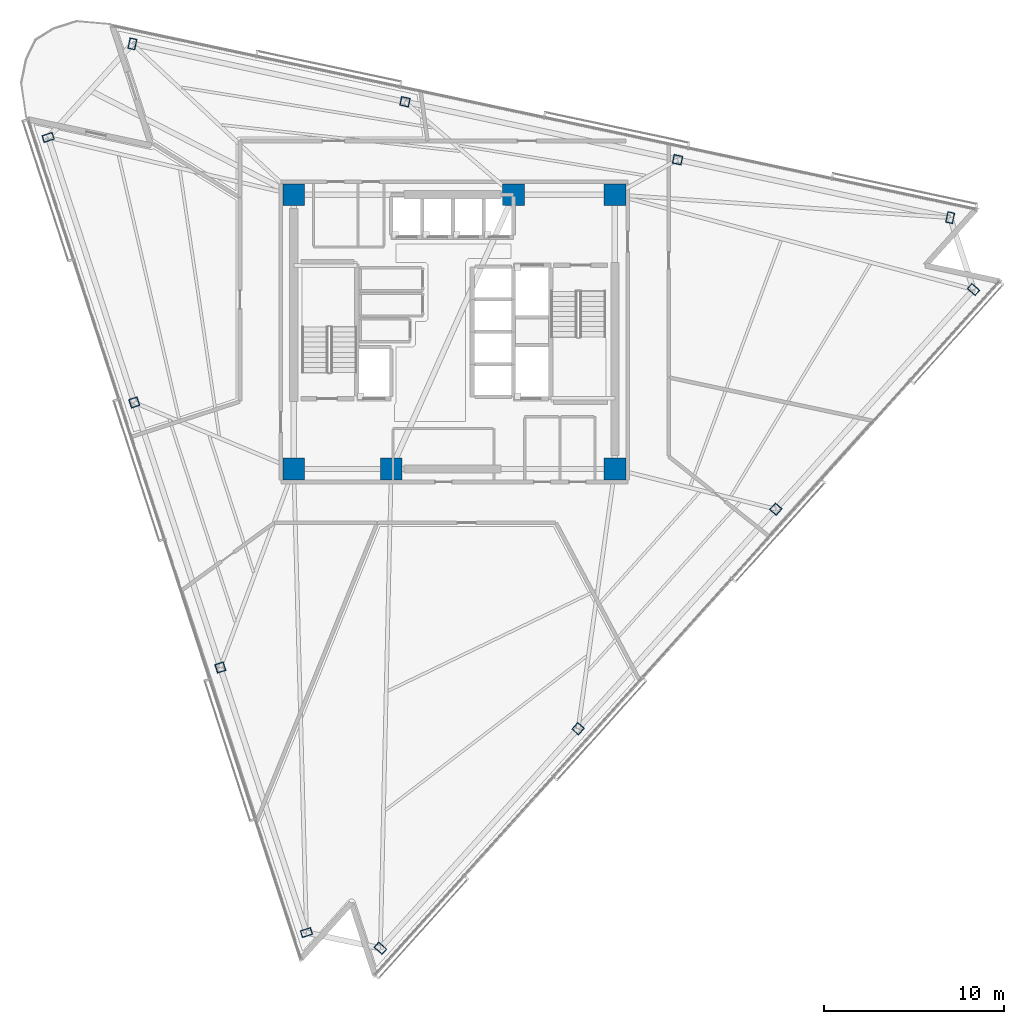
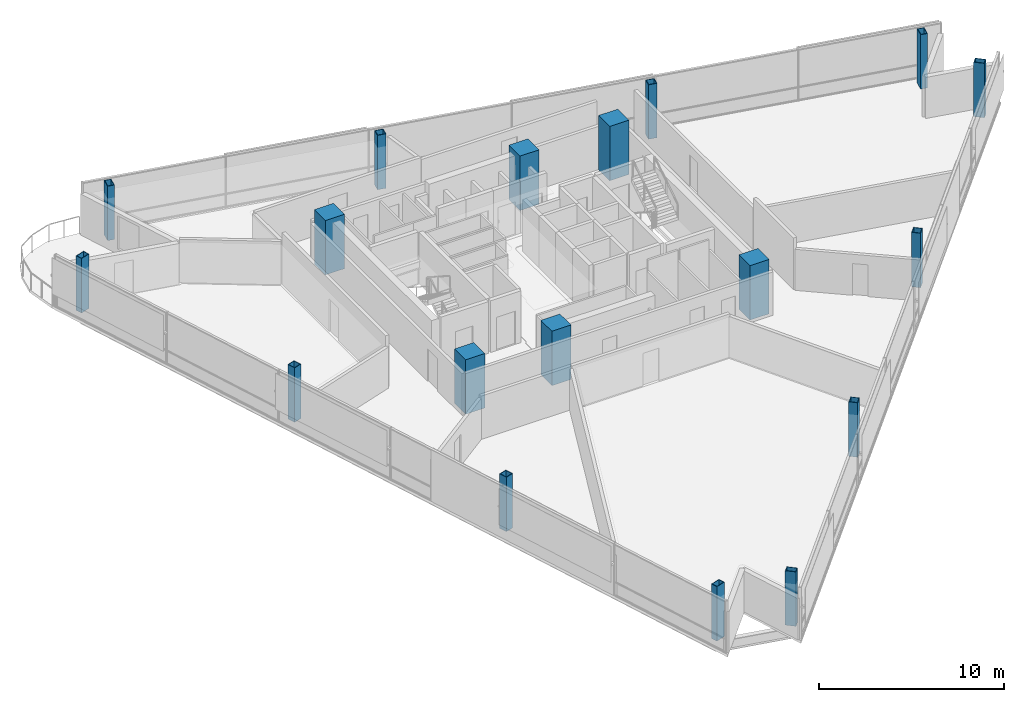
# One storey, part 1 of 17: 18 columns.
"""IFC4 building model written with IfcOpenShell, lengths in metres."""

from ifc_helpers import new_model, si_unit, direction, frame, origin, origin_2d, place, context, subcontext, project, spatial, rectangle, hollow_rectangle, extrude, material, material_profile, profile_set, type_object, element, save


model = new_model("IFC4")

# Units and contexts
model_context = context("Model", 3, precision=1e-05, world=origin(), true_north=direction((0.0, 1.0)))
body_context = subcontext(model_context, "Body", "Model", "MODEL_VIEW")
ifc_project = project(units=[si_unit("LENGTHUNIT", "METRE"), si_unit("AREAUNIT", "SQUARE_METRE"), si_unit("VOLUMEUNIT", "CUBIC_METRE"), si_unit("PLANEANGLEUNIT", "RADIAN"), si_unit("MASSUNIT", "GRAM", prefix="KILO")], contexts=[model_context])

# Site, building, storey
site_placement = place(None, origin())
site = spatial("IfcSite", under=ifc_project, at=site_placement, CompositionType="ELEMENT")
building_placement = place(site_placement, origin())
building = spatial("IfcBuilding", under=site, at=building_placement, Name="Tharavind Bronze Gate", CompositionType="ELEMENT")
storey_placement = place(building_placement, frame((0.0, 0.0, 207.64990234375)))
storey = spatial("IfcBuildingStorey", under=building, at=storey_placement, Name="L53", CompositionType="ELEMENT", Elevation=207.64990234375)

# Columns
ifc_material_1 = material(Name="Steel S460", Category="steel")
ifc_material_profile_1 = material_profile(ifc_material_1, hollow_rectangle(XDim=0.39990234375, YDim=0.60009765625, WallThickness=0.030029296875, at=origin_2d()), Name="RHS600X400X30")
ifc_profile_set_1 = profile_set([ifc_material_profile_1], Name="Steel S460")
column_type_1 = type_object("IfcColumnType", Name="CORNER NOTCH COLUMN RHS600X400", PredefinedType="COLUMN", material=ifc_profile_set_1)
for number, where, z_axis, x_axis, name in (
    (1, (-22.515380859375, 10.77685546875, 0.0), (0.0, 0.0, 1.0), (-0.309016994375, 0.951056516295, 0.0), "L53 perimeter column S1C1"),
    (2, (-8.197021484375, -33.29150390625, 0.0), (0.0, 0.0, 1.0), (-0.309016994375, 0.951056516295, 0.0), "L53 perimeter column S1C4"),
    (3, (-4.100341796875, -34.162353515625, 0.0), (0.0, 0.0, 1.0), (0.669130606359, 0.743144825477, 0.0), "L53 perimeter column S2C1"),
    (4, (28.772705078125, 2.34716796875, 0.0), (0.0, 0.0, 1.0), (0.669130606359, 0.743144825477, 0.0), "L53 perimeter column S2C4"),
    (5, (27.478515625, 6.330078125, 0.0), (0.0, 0.0, 1.0), (-0.978147600734, 0.207911690818, 0.0), "L53 perimeter column S3C1"),
    (6, (-17.844970703125, 15.9638671875, 0.0), (0.0, 0.0, 1.0), (-0.978147600734, 0.207911690818, 0.0), "L53 perimeter column S3C4"),
):
    element("IfcColumn", number, at=place(storey_placement, frame(where, z_axis=z_axis, x_axis=x_axis)), inside=storey, type_object=column_type_1, Name=name, PredefinedType="COLUMN", context=body_context, shape_type="SweptSolid", body=[
        extrude(hollow_rectangle(XDim=0.39990234375, YDim=0.60009765625, WallThickness=0.030029296875, at=origin_2d()), origin(), (0.0, 0.0, 1.0), 3.60009765625),
    ])
ifc_material_2 = material(Name="Concrete C60/75", Category="concrete")
ifc_material_profile_2 = material_profile(ifc_material_2, rectangle(XDim=1.199951171875, YDim=1.199951171875, at=origin_2d()), Name="RCCOL1200")
ifc_profile_set_2 = profile_set([ifc_material_profile_2], Name="Concrete C60/75")
column_type_2 = type_object("IfcColumnType", Name="MEGA CORE COLUMN 1200", PredefinedType="COLUMN", material=ifc_profile_set_2)
for number, where, z_axis, x_axis, name in (
    (7, (-8.89990234375, -7.60009765625, 0.0), (0.0, 0.0, 1.0), (1.0, 0.0, 0.0), "L53 core mega column MC1"),
    (8, (-3.5, -7.60009765625, 0.0), (0.0, 0.0, 1.0), (1.0, 0.0, 0.0), "L53 core mega column MC2"),
    (9, (8.89990234375, -7.60009765625, 0.0), (0.0, 0.0, 1.0), (1.0, 0.0, 0.0), "L53 core mega column MC3"),
    (10, (8.89990234375, 7.60009765625, 0.0), (0.0, 0.0, 1.0), (1.0, 0.0, 0.0), "L53 core mega column MC4"),
    (11, (3.280029296875, 7.60009765625, 0.0), (0.0, 0.0, 1.0), (1.0, 0.0, 0.0), "L53 core mega column MC5"),
    (12, (-8.89990234375, 7.60009765625, 0.0), (0.0, 0.0, 1.0), (1.0, 0.0, 0.0), "L53 core mega column MC6"),
):
    element("IfcColumn", number, at=place(storey_placement, frame(where, z_axis=z_axis, x_axis=x_axis)), inside=storey, type_object=column_type_2, Name=name, PredefinedType="COLUMN", context=body_context, shape_type="SweptSolid", body=[
        extrude(rectangle(XDim=1.199951171875, YDim=1.199951171875, at=origin_2d()), origin(), (0.0, 0.0, 1.0), 3.60009765625),
    ])
ifc_material_profile_3 = material_profile(ifc_material_1, hollow_rectangle(XDim=0.5, YDim=0.5, WallThickness=0.031982421875, at=origin_2d()), Name="SHS500X32")
ifc_profile_set_3 = profile_set([ifc_material_profile_3], Name="Steel S460")
column_type_3 = type_object("IfcColumnType", Name="PERIMETER BOX COLUMN SHS500", PredefinedType="COLUMN", material=ifc_profile_set_3)
for number, where, z_axis, x_axis, name in (
    (13, (-17.74267578125, -3.91259765625, 0.0), (0.0, 0.0, 1.0), (-0.309016994375, 0.951056516295, 0.0), "L53 perimeter column S1C2"),
    (14, (-12.9697265625, -18.60205078125, 0.0), (0.0, 0.0, 1.0), (-0.309016994375, 0.951056516295, 0.0), "L53 perimeter column S1C3"),
    (15, (6.857421875, -21.992431640625, 0.0), (0.0, 0.0, 1.0), (0.669130606359, 0.743144825477, 0.0), "L53 perimeter column S2C2"),
    (16, (17.815185546875, -9.82275390625, 0.0), (0.0, 0.0, 1.0), (0.669130606359, 0.743144825477, 0.0), "L53 perimeter column S2C3"),
    (17, (12.370849609375, 9.54150390625, 0.0), (0.0, 0.0, 1.0), (-0.978147600734, 0.207911690818, 0.0), "L53 perimeter column S3C2"),
    (18, (-2.737060546875, 12.752685546875, 0.0), (0.0, 0.0, 1.0), (-0.978147600734, 0.207911690818, 0.0), "L53 perimeter column S3C3"),
):
    element("IfcColumn", number, at=place(storey_placement, frame(where, z_axis=z_axis, x_axis=x_axis)), inside=storey, type_object=column_type_3, Name=name, PredefinedType="COLUMN", context=body_context, shape_type="SweptSolid", body=[
        extrude(hollow_rectangle(XDim=0.5, YDim=0.5, WallThickness=0.031982421875, at=origin_2d()), origin(), (0.0, 0.0, 1.0), 3.60009765625),
    ])

save(model, "model.ifc")
